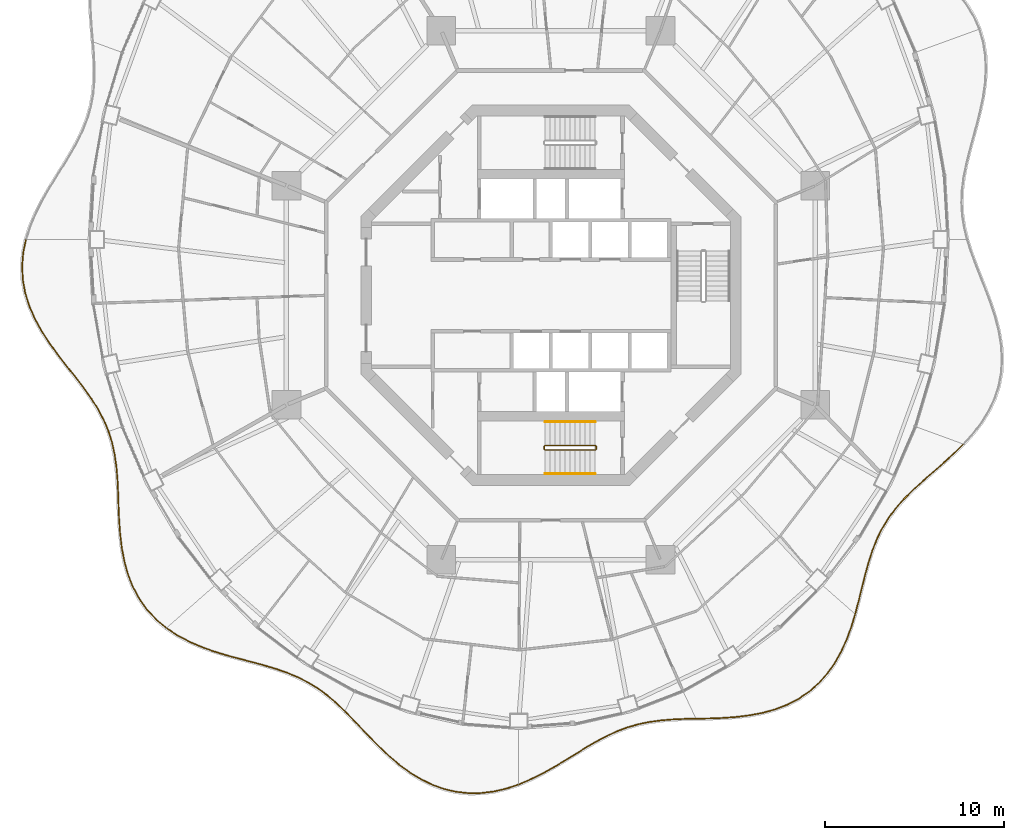
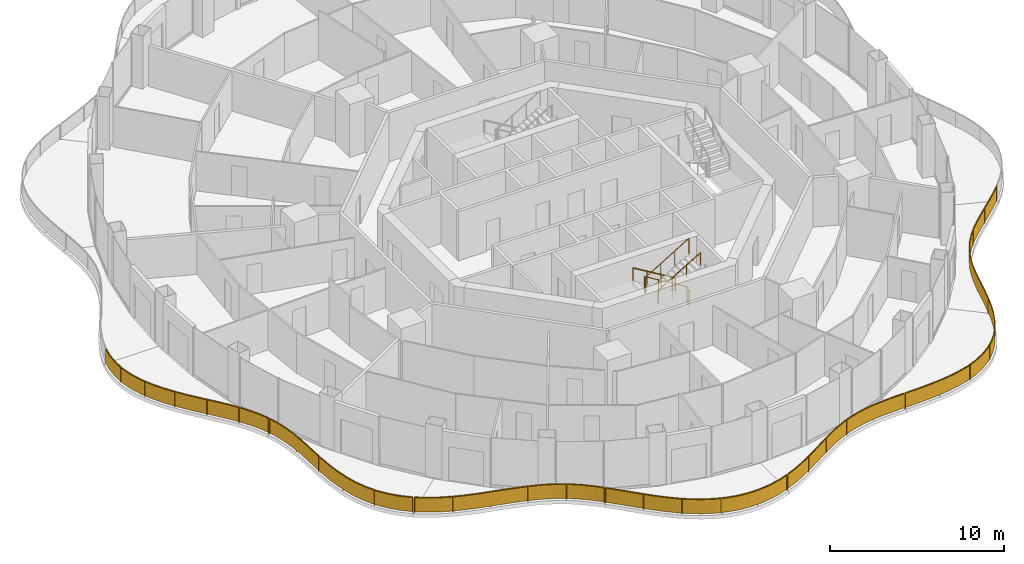
# One storey, part 16 of 18: 10 railings.
"""IFC4 building model written with IfcOpenShell, lengths in metres."""

from ifc_helpers import new_model, si_unit, direction, frame, origin, origin_2d, place, context, subcontext, project, spatial, polyline, rectangle, circle, outline, extrude, material, type_object, element, save


model = new_model("IFC4")

# Units and contexts
model_context = context("Model", 3, precision=1e-05, world=origin(), true_north=direction((0.0, 1.0)))
body_context = subcontext(model_context, "Body", "Model", "MODEL_VIEW")
ifc_project = project(units=[si_unit("LENGTHUNIT", "METRE"), si_unit("AREAUNIT", "SQUARE_METRE"), si_unit("VOLUMEUNIT", "CUBIC_METRE"), si_unit("PLANEANGLEUNIT", "RADIAN"), si_unit("MASSUNIT", "GRAM", prefix="KILO")], contexts=[model_context])

# Site, building, storey
site_placement = place(None, origin())
site = spatial("IfcSite", under=ifc_project, at=site_placement, CompositionType="ELEMENT")
building_placement = place(site_placement, origin())
building = spatial("IfcBuilding", under=site, at=building_placement, Name="Nagisa Residences", CompositionType="ELEMENT")
storey_placement = place(building_placement, frame((0.0, 0.0, 227.0)))
storey = spatial("IfcBuildingStorey", under=building, at=storey_placement, Name="L57", CompositionType="ELEMENT", Elevation=227.0)

# Railings
ifc_material_1 = material(Name="Stainless steel 316", Category="steel")
railing_type_1 = type_object("IfcRailingType", Name="BALCONY GUARD 1100", PredefinedType="BALUSTRADE", material=ifc_material_1)
railing_1_placement = place(storey_placement, frame((-29.3515625, 3.079833984375, 0.0)))
element("IfcRailing", 1, at=railing_1_placement, inside=storey, type_object=railing_type_1, Name="guard:L57:bal08-0", PredefinedType="BALUSTRADE", context=body_context, shape_type="SweptSolid", body=[
    extrude(outline(polyline([(-0.11962890625, -0.70751953125), (0.0244140625, -0.005126953125), (-0.0244140625, 0.005126953125), (-0.16943359375, -0.70068359375), (-0.229736328125, -1.455810546875), (-0.1923828125, -2.209228515625), (-0.058349609375, -2.954345703125), (0.168701171875, -3.6865234375), (0.47705078125, -4.387451171875), (0.857177734375, -5.081787109375), (1.291748046875, -5.754638671875), (1.7626953125, -6.40576171875), (2.250732421875, -7.0380859375), (2.73388671875, -7.6416015625), (3.20068359375, -8.24853515625), (3.632080078125, -8.851806640625), (4.01513671875, -9.458251953125), (4.341552734375, -10.0751953125), (4.591064453125, -10.671630859375), (4.637451171875, -10.652099609375), (4.386962890625, -10.0537109375), (4.05859375, -9.433349609375), (3.673583984375, -8.823974609375), (3.24072265625, -8.21875), (2.7734375, -7.61083984375), (2.290283203125, -7.00732421875), (1.802734375, -6.3759765625), (1.333251953125, -5.726318359375), (0.900146484375, -5.056396484375), (0.52197265625, -4.365478515625), (0.215576171875, -3.6689453125), (-0.009521484375, -2.942626953125), (-0.142578125, -2.203369140625), (-0.179443359375, -1.456787109375), (-0.11962890625, -0.70751953125)])), frame((0.0, 0.0, 1.050048828125)), (0.0, 0.0, 1.0), 0.050048828125),
    extrude(outline(polyline([(-0.1376953125, -0.705078125), (0.0068359375, -0.00146484375), (-0.0068359375, 0.00146484375), (-0.1513671875, -0.703125), (-0.211669921875, -1.456298828125), (-0.174560546875, -2.20703125), (-0.040771484375, -2.9501953125), (0.185546875, -3.68017578125), (0.4931640625, -4.379638671875), (0.87255859375, -5.07275390625), (1.306640625, -5.744384765625), (1.777099609375, -6.39501953125), (2.264892578125, -7.027099609375), (2.748046875, -7.630615234375), (3.215087890625, -8.23779296875), (3.64697265625, -8.841796875), (4.03076171875, -9.44921875), (4.35791015625, -10.0673828125), (4.60791015625, -10.66455078125), (4.62060546875, -10.6591796875), (4.37060546875, -10.0615234375), (4.04296875, -9.4423828125), (3.65869140625, -8.833984375), (3.226318359375, -8.2294921875), (2.75927734375, -7.621826171875), (2.276123046875, -7.018310546875), (1.788330078125, -6.38671875), (1.318359375, -5.736572265625), (0.884765625, -5.0654296875), (0.505859375, -4.373291015625), (0.19873046875, -3.67529296875), (-0.027099609375, -2.94677734375), (-0.160400390625, -2.20556640625), (-0.197509765625, -1.456298828125), (-0.1376953125, -0.705078125)])), frame((0.0, 0.0, 0.06005859375)), (0.0, 0.0, 1.0), 0.989990234375),
    extrude(rectangle(XDim=0.0400390625, YDim=0.0400390625, at=origin_2d()), origin(), (0.0, 0.0, 1.0), 1.050048828125),
    extrude(rectangle(XDim=0.0400390625, YDim=0.0400390625, at=origin_2d()), frame((-0.17822265625, -1.989501953125, 0.0)), (0.0, 0.0, 1.0), 1.050048828125),
    extrude(rectangle(XDim=0.0400390625, YDim=0.0400390625, at=origin_2d()), frame((0.302001953125, -3.92724609375, 0.0)), (0.0, 0.0, 1.0), 1.050048828125),
    extrude(rectangle(XDim=0.0400390625, YDim=0.0400390625, at=origin_2d()), frame((1.273193359375, -5.6796875, 0.0)), (0.0, 0.0, 1.0), 1.050048828125),
    extrude(rectangle(XDim=0.0400390625, YDim=0.0400390625, at=origin_2d()), frame((2.479248046875, -7.28369140625, 0.0)), (0.0, 0.0, 1.0), 1.050048828125),
    extrude(rectangle(XDim=0.0400390625, YDim=0.0400390625, at=origin_2d()), frame((3.6845703125, -8.887939453125, 0.0)), (0.0, 0.0, 1.0), 1.050048828125),
    extrude(rectangle(XDim=0.0400390625, YDim=0.0400390625, at=origin_2d()), frame((4.6142578125, -10.661865234375, 0.0)), (0.0, 0.0, 1.0), 1.050048828125),
])
railing_2_placement = place(storey_placement, frame((-24.7138671875, -7.646728515625, 0.0)))
element("IfcRailing", 2, at=railing_2_placement, inside=storey, type_object=railing_type_1, Name="guard:L57:bal09-0", PredefinedType="BALUSTRADE", context=body_context, shape_type="SweptSolid", body=[
    extrude(outline(polyline([(0.210205078125, -0.591796875), (0.02392578125, 0.00732421875), (-0.02392578125, -0.00732421875), (0.161865234375, -0.6044921875), (0.305419921875, -1.26513671875), (0.40185546875, -1.952880859375), (0.4619140625, -2.668212890625), (0.498291015625, -3.408447265625), (0.519287109375, -4.15625), (0.5537109375, -4.93115234375), (0.611083984375, -5.71240234375), (0.70654296875, -6.48974609375), (0.853515625, -7.253173828125), (1.0556640625, -7.98046875), (1.33544921875, -8.68310546875), (1.69189453125, -9.341552734375), (2.125244140625, -9.947265625), (2.63330078125, -10.493896484375), (3.17431640625, -10.947265625), (3.20654296875, -10.90869140625), (2.66796875, -10.457763671875), (2.164306640625, -9.91552734375), (1.734375, -9.315185546875), (1.380859375, -8.66162109375), (1.10302734375, -7.96435546875), (0.90234375, -7.241943359375), (0.755859375, -6.48193359375), (0.660888671875, -5.70751953125), (0.603515625, -4.92822265625), (0.569091796875, -4.154296875), (0.548095703125, -3.406494140625), (0.51171875, -2.664794921875), (0.45166015625, -1.947509765625), (0.354736328125, -1.25634765625), (0.210205078125, -0.591796875)])), frame((0.0, 0.0, 1.050048828125)), (0.0, 0.0, 1.0), 0.050048828125),
    extrude(outline(polyline([(0.19287109375, -0.596435546875), (0.006591796875, 0.002197265625), (-0.006591796875, -0.002197265625), (0.17919921875, -0.599853515625), (0.3232421875, -1.261962890625), (0.419677734375, -1.950927734375), (0.479736328125, -2.6669921875), (0.51611328125, -3.40771484375), (0.537109375, -4.155517578125), (0.571533203125, -4.93017578125), (0.62890625, -5.710693359375), (0.724365234375, -6.48681640625), (0.87109375, -7.249267578125), (1.07275390625, -7.974609375), (1.351806640625, -8.67529296875), (1.707275390625, -9.33203125), (2.139404296875, -9.935791015625), (2.645751953125, -10.48095703125), (3.18603515625, -10.933349609375), (3.19482421875, -10.922607421875), (2.655517578125, -10.470703125), (2.150146484375, -9.927001953125), (1.718994140625, -9.32470703125), (1.364501953125, -8.66943359375), (1.0859375, -7.97021484375), (0.884765625, -7.245849609375), (0.738037109375, -6.48486328125), (0.64306640625, -5.709228515625), (0.585693359375, -4.92919921875), (0.55126953125, -4.155029296875), (0.5302734375, -3.4072265625), (0.493896484375, -2.666015625), (0.433837890625, -1.949462890625), (0.3369140625, -1.259521484375), (0.19287109375, -0.596435546875)])), frame((0.0, 0.0, 0.06005859375)), (0.0, 0.0, 1.0), 0.989990234375),
    extrude(rectangle(XDim=0.0400390625, YDim=0.0400390625, at=origin_2d()), origin(), (0.0, 0.0, 1.0), 1.050048828125),
    extrude(rectangle(XDim=0.0400390625, YDim=0.0400390625, at=origin_2d()), frame((0.456298828125, -2.30126953125, 0.0)), (0.0, 0.0, 1.0), 1.050048828125),
    extrude(rectangle(XDim=0.0400390625, YDim=0.0400390625, at=origin_2d()), frame((0.566162109375, -4.6513671875, 0.0)), (0.0, 0.0, 1.0), 1.050048828125),
    extrude(rectangle(XDim=0.0400390625, YDim=0.0400390625, at=origin_2d()), frame((0.82763671875, -6.98681640625, 0.0)), (0.0, 0.0, 1.0), 1.050048828125),
    extrude(rectangle(XDim=0.0400390625, YDim=0.0400390625, at=origin_2d()), frame((1.635009765625, -9.18408203125, 0.0)), (0.0, 0.0, 1.0), 1.050048828125),
    extrude(rectangle(XDim=0.0400390625, YDim=0.0400390625, at=origin_2d()), frame((3.1904296875, -10.927978515625, 0.0)), (0.0, 0.0, 1.0), 1.050048828125),
])
railing_3_placement = place(storey_placement, frame((-21.461181640625, -18.62060546875, 0.0)))
element("IfcRailing", 3, at=railing_3_placement, inside=storey, type_object=railing_type_1, Name="guard:L57:bal10-0", PredefinedType="BALUSTRADE", context=body_context, shape_type="SweptSolid", body=[
    extrude(outline(polyline([(0.578857421875, -0.35400390625), (0.013916015625, 0.020751953125), (-0.013916015625, -0.020751953125), (0.552978515625, -0.39697265625), (1.2041015625, -0.74609375), (1.8896484375, -1.04541015625), (2.59765625, -1.3017578125), (3.317138671875, -1.5244140625), (4.02392578125, -1.712646484375), (4.732421875, -1.899658203125), (5.421630859375, -2.08642578125), (6.08544921875, -2.284912109375), (6.719482421875, -2.505615234375), (7.307861328125, -2.7490234375), (7.87890625, -3.04052734375), (8.421875, -3.376220703125), (8.941650390625, -3.7578125), (9.444580078125, -4.184814453125), (9.9052734375, -4.623046875), (9.93994140625, -4.5869140625), (9.478271484375, -4.147705078125), (8.972900390625, -3.71875), (8.44970703125, -3.334716796875), (7.9033203125, -2.9970703125), (7.328857421875, -2.70361328125), (6.737060546875, -2.458740234375), (6.10107421875, -2.237060546875), (5.435302734375, -2.0380859375), (4.7451171875, -1.851318359375), (4.03662109375, -1.664306640625), (3.330810546875, -1.47607421875), (2.61376953125, -1.25439453125), (1.908203125, -0.9990234375), (1.22607421875, -0.701171875), (0.578857421875, -0.35400390625)])), frame((0.0, 0.0, 1.050048828125)), (0.0, 0.0, 1.0), 0.050048828125),
    extrude(outline(polyline([(0.569580078125, -0.369384765625), (0.00390625, 0.005859375), (-0.00390625, -0.005859375), (0.562255859375, -0.381591796875), (1.2119140625, -0.72998046875), (1.896240234375, -1.02880859375), (2.603515625, -1.28466796875), (3.322021484375, -1.507080078125), (4.028564453125, -1.6953125), (4.737060546875, -1.88232421875), (5.426513671875, -2.069091796875), (6.091064453125, -2.267578125), (6.725830078125, -2.48876953125), (7.3154296875, -2.732666015625), (7.8876953125, -3.02490234375), (8.431884765625, -3.361328125), (8.952880859375, -3.743896484375), (9.456787109375, -4.17138671875), (9.917724609375, -4.610107421875), (9.927490234375, -4.599853515625), (9.466064453125, -4.1611328125), (8.961669921875, -3.732666015625), (8.439697265625, -3.349609375), (7.89453125, -3.0126953125), (7.3212890625, -2.719970703125), (6.730712890625, -2.4755859375), (6.095458984375, -2.25439453125), (5.430419921875, -2.055419921875), (4.740478515625, -1.86865234375), (4.031982421875, -1.681640625), (3.325927734375, -1.493408203125), (2.60791015625, -1.271484375), (1.901611328125, -1.015625), (1.21826171875, -0.71728515625), (0.569580078125, -0.369384765625)])), frame((0.0, 0.0, 0.06005859375)), (0.0, 0.0, 1.0), 0.989990234375),
    extrude(rectangle(XDim=0.0400390625, YDim=0.0400390625, at=origin_2d()), origin(), (0.0, 0.0, 1.0), 1.050048828125),
    extrude(rectangle(XDim=0.0400390625, YDim=0.0400390625, at=origin_2d()), frame((1.94921875, -1.040283203125, 0.0)), (0.0, 0.0, 1.0), 1.050048828125),
    extrude(rectangle(XDim=0.0400390625, YDim=0.0400390625, at=origin_2d()), frame((4.0634765625, -1.697265625, 0.0)), (0.0, 0.0, 1.0), 1.050048828125),
    extrude(rectangle(XDim=0.0400390625, YDim=0.0400390625, at=origin_2d()), frame((6.19580078125, -2.296630859375, 0.0)), (0.0, 0.0, 1.0), 1.050048828125),
    extrude(rectangle(XDim=0.0400390625, YDim=0.0400390625, at=origin_2d()), frame((8.20556640625, -3.213134765625, 0.0)), (0.0, 0.0, 1.0), 1.050048828125),
    extrude(rectangle(XDim=0.0400390625, YDim=0.0400390625, at=origin_2d()), frame((9.922607421875, -4.60498046875, 0.0)), (0.0, 0.0, 1.0), 1.050048828125),
])
railing_4_placement = place(storey_placement, frame((-11.48779296875, -23.278564453125, 0.0)))
element("IfcRailing", 4, at=railing_4_placement, inside=storey, type_object=railing_type_1, Name="guard:L57:bal11-0", PredefinedType="BALUSTRADE", context=body_context, shape_type="SweptSolid", body=[
    extrude(outline(polyline([(0.460205078125, -0.435546875), (0.017822265625, 0.017578125), (-0.017822265625, -0.017578125), (0.424072265625, -0.47021484375), (0.90478515625, -0.975830078125), (1.3984375, -1.49267578125), (1.91064453125, -2.0087890625), (2.4462890625, -2.510498046875), (2.99169921875, -2.97900390625), (3.5830078125, -3.411376953125), (4.202392578125, -3.789794921875), (4.848388671875, -4.103271484375), (5.51806640625, -4.342529296875), (6.191162109375, -4.49951171875), (6.89013671875, -4.575439453125), (7.598876953125, -4.567626953125), (8.30810546875, -4.479248046875), (9.01220703125, -4.31591796875), (9.6591796875, -4.098876953125), (9.64306640625, -4.051513671875), (8.99853515625, -4.267578125), (8.29931640625, -4.429931640625), (7.595458984375, -4.517822265625), (6.892578125, -4.525146484375), (6.199462890625, -4.4501953125), (5.5322265625, -4.294677734375), (4.867919921875, -4.056884765625), (4.226318359375, -3.745849609375), (3.61083984375, -3.369873046875), (3.02294921875, -2.93994140625), (2.4794921875, -2.473388671875), (1.9453125, -1.97265625), (1.43408203125, -1.45751953125), (0.94091796875, -0.941162109375), (0.460205078125, -0.435546875)])), frame((0.0, 0.0, 1.050048828125)), (0.0, 0.0, 1.0), 0.050048828125),
    extrude(outline(polyline([(0.447265625, -0.447998046875), (0.005126953125, 0.0048828125), (-0.005126953125, -0.0048828125), (0.43701171875, -0.457763671875), (0.917724609375, -0.96337890625), (1.4111328125, -1.47998046875), (1.923095703125, -1.995849609375), (2.458251953125, -2.4970703125), (3.0029296875, -2.96484375), (3.593017578125, -3.396484375), (4.2109375, -3.77392578125), (4.85546875, -4.08642578125), (5.523193359375, -4.325439453125), (6.194091796875, -4.481689453125), (6.89111328125, -4.557373046875), (7.59765625, -4.5498046875), (8.304931640625, -4.46142578125), (9.00732421875, -4.298583984375), (9.6533203125, -4.081787109375), (9.64892578125, -4.068603515625), (9.00341796875, -4.284912109375), (8.302490234375, -4.44775390625), (7.5966796875, -4.53564453125), (6.8916015625, -4.543212890625), (6.196533203125, -4.468017578125), (5.527099609375, -4.311767578125), (4.86083984375, -4.07373046875), (4.2177734375, -3.76171875), (3.600830078125, -3.384765625), (3.01171875, -2.9541015625), (2.467529296875, -2.48681640625), (1.932861328125, -1.985595703125), (1.42138671875, -1.47021484375), (0.927978515625, -0.95361328125), (0.447265625, -0.447998046875)])), frame((0.0, 0.0, 0.06005859375)), (0.0, 0.0, 1.0), 0.989990234375),
    extrude(rectangle(XDim=0.0400390625, YDim=0.0400390625, at=origin_2d()), origin(), (0.0, 0.0, 1.0), 1.050048828125),
    extrude(rectangle(XDim=0.0400390625, YDim=0.0400390625, at=origin_2d()), frame((1.56884765625, -1.62890625, 0.0)), (0.0, 0.0, 1.0), 1.050048828125),
    extrude(rectangle(XDim=0.0400390625, YDim=0.0400390625, at=origin_2d()), frame((3.250244140625, -3.13720703125, 0.0)), (0.0, 0.0, 1.0), 1.050048828125),
    extrude(rectangle(XDim=0.0400390625, YDim=0.0400390625, at=origin_2d()), frame((5.22802734375, -4.21240234375, 0.0)), (0.0, 0.0, 1.0), 1.050048828125),
    extrude(rectangle(XDim=0.0400390625, YDim=0.0400390625, at=origin_2d()), frame((7.44921875, -4.54443359375, 0.0)), (0.0, 0.0, 1.0), 1.050048828125),
    extrude(rectangle(XDim=0.0400390625, YDim=0.0400390625, at=origin_2d()), frame((9.651123046875, -4.0751953125, 0.0)), (0.0, 0.0, 1.0), 1.050048828125),
])
railing_5_placement = place(storey_placement, frame((-1.764404296875, -27.32568359375, 0.0)))
element("IfcRailing", 5, at=railing_5_placement, inside=storey, type_object=railing_type_1, Name="guard:L57:bal12-0", PredefinedType="BALUSTRADE", context=body_context, shape_type="SweptSolid", body=[
    extrude(outline(polyline([(0.621826171875, 0.291259765625), (-0.009765625, 0.02294921875), (0.009765625, -0.02294921875), (0.642822265625, 0.245849609375), (1.3037109375, 0.573486328125), (1.945068359375, 0.930419921875), (2.567626953125, 1.302001953125), (3.17236328125, 1.674560546875), (3.7451171875, 2.0322265625), (4.324951171875, 2.368408203125), (4.899169921875, 2.671630859375), (5.473876953125, 2.93408203125), (6.0546875, 3.15234375), (6.630126953125, 3.319091796875), (7.238525390625, 3.447265625), (7.8662109375, 3.53515625), (8.516357421875, 3.58984375), (9.188232421875, 3.620849609375), (9.83544921875, 3.634765625), (9.83447265625, 3.6845703125), (9.186767578125, 3.670654296875), (8.512939453125, 3.6396484375), (7.86083984375, 3.5849609375), (7.229736328125, 3.49658203125), (6.617919921875, 3.367919921875), (6.0390625, 3.19970703125), (5.454833984375, 2.98046875), (4.877197265625, 2.716552734375), (4.300537109375, 2.412353515625), (3.71923828125, 2.0751953125), (3.14599609375, 1.717041015625), (2.541748046875, 1.344970703125), (1.920166015625, 0.973876953125), (1.2802734375, 0.617919921875), (0.621826171875, 0.291259765625)])), frame((0.0, 0.0, 1.050048828125)), (0.0, 0.0, 1.0), 0.050048828125),
    extrude(outline(polyline([(0.62939453125, 0.27490234375), (-0.002685546875, 0.00634765625), (0.002685546875, -0.00634765625), (0.63525390625, 0.26220703125), (1.295166015625, 0.589599609375), (1.93603515625, 0.946044921875), (2.558349609375, 1.3173828125), (3.162841796875, 1.68994140625), (3.73583984375, 2.047607421875), (4.316162109375, 2.38427734375), (4.891357421875, 2.687744140625), (5.467041015625, 2.950927734375), (6.049072265625, 3.16943359375), (6.625732421875, 3.336669921875), (7.2353515625, 3.465087890625), (7.8642578125, 3.552978515625), (8.51513671875, 3.607666015625), (9.187744140625, 3.638671875), (9.835205078125, 3.652587890625), (9.834716796875, 3.666748046875), (9.187255859375, 3.65283203125), (8.51416015625, 3.621826171875), (7.86279296875, 3.567138671875), (7.23291015625, 3.478759765625), (6.622314453125, 3.350341796875), (6.044677734375, 3.1826171875), (5.461669921875, 2.963623046875), (4.885009765625, 2.700439453125), (4.309326171875, 2.396484375), (3.728515625, 2.059814453125), (3.155517578125, 1.70166015625), (2.551025390625, 1.32958984375), (1.92919921875, 0.958251953125), (1.288818359375, 0.601806640625), (0.62939453125, 0.27490234375)])), frame((0.0, 0.0, 0.06005859375)), (0.0, 0.0, 1.0), 0.989990234375),
    extrude(rectangle(XDim=0.0400390625, YDim=0.0400390625, at=origin_2d()), origin(), (0.0, 0.0, 1.0), 1.050048828125),
    extrude(rectangle(XDim=0.0400390625, YDim=0.0400390625, at=origin_2d()), frame((1.91455078125, 0.942138671875, 0.0)), (0.0, 0.0, 1.0), 1.050048828125),
    extrude(rectangle(XDim=0.0400390625, YDim=0.0400390625, at=origin_2d()), frame((3.736328125, 2.05615234375, 0.0)), (0.0, 0.0, 1.0), 1.050048828125),
    extrude(rectangle(XDim=0.0400390625, YDim=0.0400390625, at=origin_2d()), frame((5.637939453125, 3.0224609375, 0.0)), (0.0, 0.0, 1.0), 1.050048828125),
    extrude(rectangle(XDim=0.0400390625, YDim=0.0400390625, at=origin_2d()), frame((7.703857421875, 3.53759765625, 0.0)), (0.0, 0.0, 1.0), 1.050048828125),
    extrude(rectangle(XDim=0.0400390625, YDim=0.0400390625, at=origin_2d()), frame((9.8349609375, 3.65966796875, 0.0)), (0.0, 0.0, 1.0), 1.050048828125),
])
railing_6_placement = place(storey_placement, frame((8.14599609375, -23.666259765625, 0.0)))
element("IfcRailing", 6, at=railing_6_placement, inside=storey, type_object=railing_type_1, Name="guard:L57:bal13-0", PredefinedType="BALUSTRADE", context=body_context, shape_type="SweptSolid", body=[
    extrude(outline(polyline([(0.69091796875, 0.03759765625), (-0.00048828125, 0.02490234375), (0.00048828125, -0.02490234375), (0.6923828125, -0.01220703125), (1.442626953125, 0.016357421875), (2.198486328125, 0.0703125), (2.951416015625, 0.162841796875), (3.689697265625, 0.303955078125), (4.39501953125, 0.496826171875), (5.079833984375, 0.763427734375), (5.72314453125, 1.09912109375), (6.31689453125, 1.50537109375), (6.855224609375, 1.97998046875), (7.322509765625, 2.507568359375), (7.741455078125, 3.102294921875), (8.102294921875, 3.744384765625), (8.40869140625, 4.42333984375), (8.667724609375, 5.127685546875), (8.87255859375, 5.80322265625), (8.82470703125, 5.81787109375), (8.620361328125, 5.143798828125), (8.3623046875, 4.4423828125), (8.057373046875, 3.766845703125), (7.698974609375, 3.129150390625), (7.282958984375, 2.538818359375), (6.819580078125, 2.015625), (6.2861328125, 1.544921875), (5.697265625, 1.14208984375), (5.059326171875, 0.808837890625), (4.37939453125, 0.544189453125), (3.678466796875, 0.352783203125), (2.943603515625, 0.212158203125), (2.193603515625, 0.1201171875), (1.439697265625, 0.066162109375), (0.69091796875, 0.03759765625)])), frame((0.0, 0.0, 1.050048828125)), (0.0, 0.0, 1.0), 0.050048828125),
    extrude(outline(polyline([(0.69140625, 0.019775390625), (-0.000244140625, 0.007080078125), (0.000244140625, -0.007080078125), (0.69189453125, 0.005615234375), (1.441650390625, 0.0341796875), (2.19677734375, 0.088134765625), (2.948486328125, 0.1806640625), (3.685546875, 0.321533203125), (4.389404296875, 0.513916015625), (5.072509765625, 0.77978515625), (5.7138671875, 1.114501953125), (6.305908203125, 1.51953125), (6.84228515625, 1.992919921875), (7.308349609375, 2.518798828125), (7.72607421875, 3.112060546875), (8.086181640625, 3.75244140625), (8.39208984375, 4.43017578125), (8.650634765625, 5.133544921875), (8.855224609375, 5.80859375), (8.842041015625, 5.8125), (8.637451171875, 5.137939453125), (8.37890625, 4.435546875), (8.073486328125, 3.7587890625), (7.71435546875, 3.119384765625), (7.297119140625, 2.527587890625), (6.83251953125, 2.002685546875), (6.297119140625, 1.53076171875), (5.70654296875, 1.126708984375), (5.066650390625, 0.79248046875), (4.385009765625, 0.527099609375), (3.6826171875, 0.335205078125), (2.946533203125, 0.1943359375), (2.1953125, 0.102294921875), (1.440673828125, 0.04833984375), (0.69140625, 0.019775390625)])), frame((0.0, 0.0, 0.06005859375)), (0.0, 0.0, 1.0), 0.989990234375),
    extrude(rectangle(XDim=0.0400390625, YDim=0.0400390625, at=origin_2d()), origin(), (0.0, 0.0, 1.0), 1.050048828125),
    extrude(rectangle(XDim=0.0400390625, YDim=0.0400390625, at=origin_2d()), frame((2.33203125, 0.11181640625, 0.0)), (0.0, 0.0, 1.0), 1.050048828125),
    extrude(rectangle(XDim=0.0400390625, YDim=0.0400390625, at=origin_2d()), frame((4.60791015625, 0.6064453125, 0.0)), (0.0, 0.0, 1.0), 1.050048828125),
    extrude(rectangle(XDim=0.0400390625, YDim=0.0400390625, at=origin_2d()), frame((6.602294921875, 1.79052734375, 0.0)), (0.0, 0.0, 1.0), 1.050048828125),
    extrude(rectangle(XDim=0.0400390625, YDim=0.0400390625, at=origin_2d()), frame((8.011962890625, 3.634765625, 0.0)), (0.0, 0.0, 1.0), 1.050048828125),
    extrude(rectangle(XDim=0.0400390625, YDim=0.0400390625, at=origin_2d()), frame((8.8486328125, 5.810546875, 0.0)), (0.0, 0.0, 1.0), 1.050048828125),
])
railing_7_placement = place(storey_placement, frame((17.014404296875, -17.781494140625, 0.0)))
element("IfcRailing", 7, at=railing_7_placement, inside=storey, type_object=railing_type_1, Name="guard:L57:bal14-0", PredefinedType="BALUSTRADE", context=body_context, shape_type="SweptSolid", body=[
    extrude(outline(polyline([(0.16357421875, 0.718994140625), (-0.024169921875, 0.00634765625), (0.024169921875, -0.00634765625), (0.2119140625, 0.706787109375), (0.397216796875, 1.45458984375), (0.580078125, 2.183837890625), (0.774658203125, 2.8857421875), (0.993896484375, 3.555419921875), (1.240966796875, 4.177001953125), (1.541259765625, 4.775634765625), (1.89208984375, 5.34130859375), (2.295654296875, 5.87841796875), (2.7509765625, 6.3935546875), (3.246826171875, 6.88134765625), (3.786865234375, 7.375732421875), (4.35400390625, 7.87255859375), (4.93310546875, 8.3798828125), (5.509033203125, 8.904296875), (6.033935546875, 9.4189453125), (5.998779296875, 9.45458984375), (5.474853515625, 8.94091796875), (4.89990234375, 8.4169921875), (4.32080078125, 7.91015625), (3.753662109375, 7.412841796875), (3.212158203125, 6.91748046875), (2.71484375, 6.42822265625), (2.257080078125, 5.91015625), (1.8505859375, 5.36962890625), (1.497314453125, 4.800048828125), (1.195068359375, 4.197509765625), (0.947021484375, 3.572509765625), (0.726806640625, 2.900390625), (0.53173828125, 2.196533203125), (0.348876953125, 1.466796875), (0.16357421875, 0.718994140625)])), frame((0.0, 0.0, 1.050048828125)), (0.0, 0.0, 1.0), 0.050048828125),
    extrude(outline(polyline([(0.180908203125, 0.714599609375), (-0.0068359375, 0.001708984375), (0.0068359375, -0.001708984375), (0.194580078125, 0.711181640625), (0.3798828125, 1.458984375), (0.562744140625, 2.1884765625), (0.75732421875, 2.89111328125), (0.97705078125, 3.5615234375), (1.224365234375, 4.184326171875), (1.525390625, 4.784423828125), (1.877197265625, 5.3515625), (2.28173828125, 5.889892578125), (2.738037109375, 6.406005859375), (3.234375, 6.894287109375), (3.77490234375, 7.38916015625), (4.342041015625, 7.885986328125), (4.921142578125, 8.393310546875), (5.496826171875, 8.91748046875), (6.021240234375, 9.431884765625), (6.011474609375, 9.441650390625), (5.487060546875, 8.927734375), (4.911865234375, 8.403564453125), (4.332763671875, 7.896728515625), (3.765625, 7.3994140625), (3.224609375, 6.904541015625), (2.727783203125, 6.415771484375), (2.27099609375, 5.898681640625), (1.865478515625, 5.359375), (1.51318359375, 4.791259765625), (1.211669921875, 4.190185546875), (0.9638671875, 3.56640625), (0.744140625, 2.89501953125), (0.549072265625, 2.19189453125), (0.3662109375, 1.46240234375), (0.180908203125, 0.714599609375)])), frame((0.0, 0.0, 0.06005859375)), (0.0, 0.0, 1.0), 0.989990234375),
    extrude(rectangle(XDim=0.0400390625, YDim=0.0400390625, at=origin_2d()), origin(), (0.0, 0.0, 1.0), 1.050048828125),
    extrude(rectangle(XDim=0.0400390625, YDim=0.0400390625, at=origin_2d()), frame((0.568603515625, 2.23583984375, 0.0)), (0.0, 0.0, 1.0), 1.050048828125),
    extrude(rectangle(XDim=0.0400390625, YDim=0.0400390625, at=origin_2d()), frame((1.329345703125, 4.409423828125, 0.0)), (0.0, 0.0, 1.0), 1.050048828125),
    extrude(rectangle(XDim=0.0400390625, YDim=0.0400390625, at=origin_2d()), frame((2.635009765625, 6.300048828125, 0.0)), (0.0, 0.0, 1.0), 1.050048828125),
    extrude(rectangle(XDim=0.0400390625, YDim=0.0400390625, at=origin_2d()), frame((4.31884765625, 7.875244140625, 0.0)), (0.0, 0.0, 1.0), 1.050048828125),
    extrude(rectangle(XDim=0.0400390625, YDim=0.0400390625, at=origin_2d()), frame((6.016357421875, 9.436767578125, 0.0)), (0.0, 0.0, 1.0), 1.050048828125),
])
ifc_material_2 = material(Name="Stainless steel", Category="steel")
railing_type_2 = type_object("IfcRailingType", Name="Stair guard 1100", PredefinedType="GUARDRAIL", material=ifc_material_2)
railing_8_placement = place(storey_placement, frame((2.52490234375, -8.599609375, 0.0)))
element("IfcRailing", 8, at=railing_8_placement, inside=storey, type_object=railing_type_2, Name="L57 ST-S stair guard 1", PredefinedType="GUARDRAIL", context=body_context, shape_type="SweptSolid", body=[
    extrude(circle(Radius=0.02392578125, at=origin_2d()), frame((0.0, 0.0, 1.076171875), z_axis=(0.0, 1.0, 0.0), x_axis=(-1.0, 0.0, 0.0)), (0.0, 0.0, 1.0), 0.14990234375),
    extrude(circle(Radius=0.02392578125, at=origin_2d()), frame((0.0, 0.14990234375, 1.076171875), z_axis=(-0.273006030465, 0.27434429532, 0.922064485248), x_axis=(-0.708833529934, -0.705375805398, 0.0)), (0.0, 0.0, 1.0), 0.182373046875),
    extrude(circle(Radius=0.02392578125, at=origin_2d()), frame((-0.0498046875, 0.199951171875, 1.244140625), z_axis=(-0.857242210791, 0.0, 0.514913383045), x_axis=(0.0, -1.0, 0.0)), (0.0, 0.0, 1.0), 3.266357421875),
    extrude(circle(Radius=0.02392578125, at=origin_2d()), frame((-2.849853515625, 0.199951171875, 2.92626953125), z_axis=(-0.707106781187, -0.707106781187, 0.0), x_axis=(0.707106781187, -0.707106781187, 0.0)), (0.0, 0.0, 1.0), 0.07080078125),
    extrude(circle(Radius=0.02392578125, at=origin_2d()), frame((-2.89990234375, 0.14990234375, 2.92626953125), z_axis=(0.0, -1.0, 0.0), x_axis=(1.0, 0.0, 0.0)), (0.0, 0.0, 1.0), 0.14990234375),
    extrude(circle(Radius=0.02392578125, at=origin_2d()), frame((-2.89990234375, 0.0, 2.92626953125), z_axis=(0.274582412415, -0.274582412415, 0.921525364591), x_axis=(0.707106781187, 0.707106781187, 0.0)), (0.0, 0.0, 1.0), 0.182373046875),
    extrude(circle(Radius=0.02392578125, at=origin_2d()), frame((-2.849853515625, -0.050048828125, 3.09423828125), z_axis=(0.857242210791, 0.0, 0.514913383045), x_axis=(0.0, 1.0, 0.0)), (0.0, 0.0, 1.0), 3.266357421875),
    extrude(circle(Radius=0.02099609375, at=origin_2d()), origin(), (0.0, 0.0, 1.0), 1.052001953125),
    extrude(circle(Radius=0.02099609375, at=origin_2d()), frame((0.0, 0.14990234375, 0.0)), (0.0, 0.0, 1.0), 1.052001953125),
    extrude(circle(Radius=0.02099609375, at=origin_2d()), frame((-0.0498046875, 0.199951171875, 0.168212890625)), (0.0, 0.0, 1.0), 1.052001953125),
    extrude(circle(Radius=0.02099609375, at=origin_2d()), frame((-0.983154296875, 0.199951171875, 0.728759765625)), (0.0, 0.0, 1.0), 1.052001953125),
    extrude(circle(Radius=0.02099609375, at=origin_2d()), frame((-1.91650390625, 0.199951171875, 1.28955078125)), (0.0, 0.0, 1.0), 1.052001953125),
    extrude(circle(Radius=0.02099609375, at=origin_2d()), frame((-2.849853515625, 0.199951171875, 1.85009765625)), (0.0, 0.0, 1.0), 1.052001953125),
    extrude(circle(Radius=0.02099609375, at=origin_2d()), frame((-2.89990234375, 0.14990234375, 1.85009765625)), (0.0, 0.0, 1.0), 1.052001953125),
    extrude(circle(Radius=0.02099609375, at=origin_2d()), frame((-2.89990234375, 0.0, 1.85009765625)), (0.0, 0.0, 1.0), 1.052001953125),
    extrude(circle(Radius=0.02099609375, at=origin_2d()), frame((-2.849853515625, -0.050048828125, 2.01806640625)), (0.0, 0.0, 1.0), 1.052001953125),
    extrude(circle(Radius=0.02099609375, at=origin_2d()), frame((-1.91650390625, -0.050048828125, 2.57861328125)), (0.0, 0.0, 1.0), 1.052001953125),
    extrude(circle(Radius=0.02099609375, at=origin_2d()), frame((-0.983154296875, -0.050048828125, 3.139404296875)), (0.0, 0.0, 1.0), 1.052001953125),
    extrude(circle(Radius=0.02099609375, at=origin_2d()), frame((-0.0498046875, -0.050048828125, 3.699951171875)), (0.0, 0.0, 1.0), 1.052001953125),
])
ifc_material_3 = material(Name="Stainless steel", Category="steel")
railing_type_3 = type_object("IfcRailingType", Name="Stair handrail 900", PredefinedType="HANDRAIL", material=ifc_material_3)
railing_9_placement = place(storey_placement, frame((2.47509765625, -7.07470703125, 0.168212890625)))
element("IfcRailing", 9, at=railing_9_placement, inside=storey, type_object=railing_type_3, Name="L57 ST-S stair handrail 1", PredefinedType="HANDRAIL", context=body_context, shape_type="SweptSolid", body=[
    extrude(circle(Radius=0.02392578125, at=origin_2d()), frame((0.0, 0.0, 0.8759765625), z_axis=(-0.857242210791, 0.0, 0.514913383045), x_axis=(0.0, -1.0, 0.0)), (0.0, 0.0, 1.0), 3.266357421875),
    extrude(circle(Radius=0.02099609375, at=origin_2d()), origin(), (0.0, 0.0, 1.0), 0.851806640625),
    extrude(circle(Radius=0.02099609375, at=origin_2d()), frame((-0.933349609375, 0.0, 0.560546875)), (0.0, 0.0, 1.0), 0.851806640625),
    extrude(circle(Radius=0.02099609375, at=origin_2d()), frame((-1.86669921875, 0.0, 1.121337890625)), (0.0, 0.0, 1.0), 0.851806640625),
    extrude(circle(Radius=0.02099609375, at=origin_2d()), frame((-2.800048828125, 0.0, 1.681884765625)), (0.0, 0.0, 1.0), 0.851806640625),
])
railing_10_placement = place(storey_placement, frame((-0.324951171875, -9.974609375, 2.01806640625)))
element("IfcRailing", 10, at=railing_10_placement, inside=storey, type_object=railing_type_3, Name="L57 ST-S stair handrail 2", PredefinedType="HANDRAIL", context=body_context, shape_type="SweptSolid", body=[
    extrude(circle(Radius=0.02392578125, at=origin_2d()), frame((0.0, 0.0, 0.8759765625), z_axis=(0.857242210791, 0.0, 0.514913383045), x_axis=(0.0, 1.0, 0.0)), (0.0, 0.0, 1.0), 3.266357421875),
    extrude(circle(Radius=0.02099609375, at=origin_2d()), origin(), (0.0, 0.0, 1.0), 0.851806640625),
    extrude(circle(Radius=0.02099609375, at=origin_2d()), frame((0.933349609375, 0.0, 0.560546875)), (0.0, 0.0, 1.0), 0.851806640625),
    extrude(circle(Radius=0.02099609375, at=origin_2d()), frame((1.86669921875, 0.0, 1.121337890625)), (0.0, 0.0, 1.0), 0.851806640625),
    extrude(circle(Radius=0.02099609375, at=origin_2d()), frame((2.800048828125, 0.0, 1.681884765625)), (0.0, 0.0, 1.0), 0.851806640625),
])

save(model, "model.ifc")
